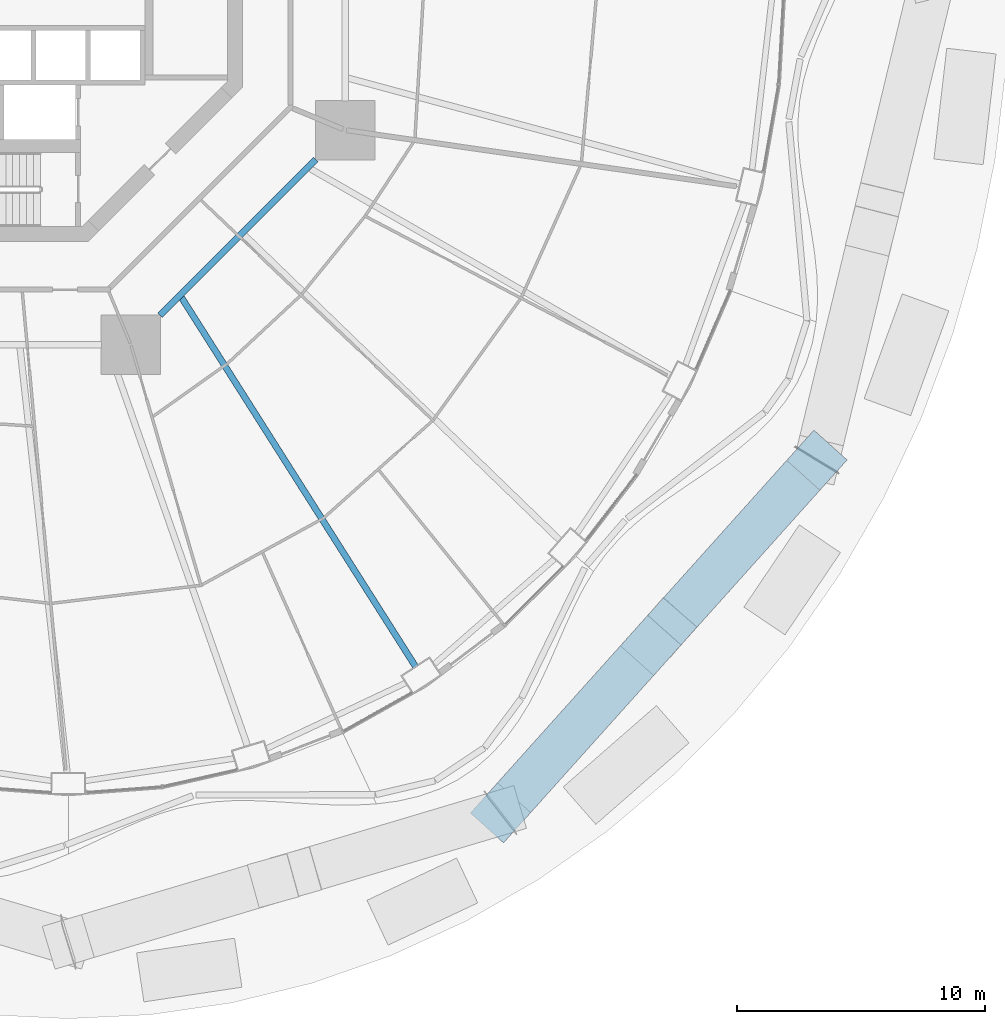
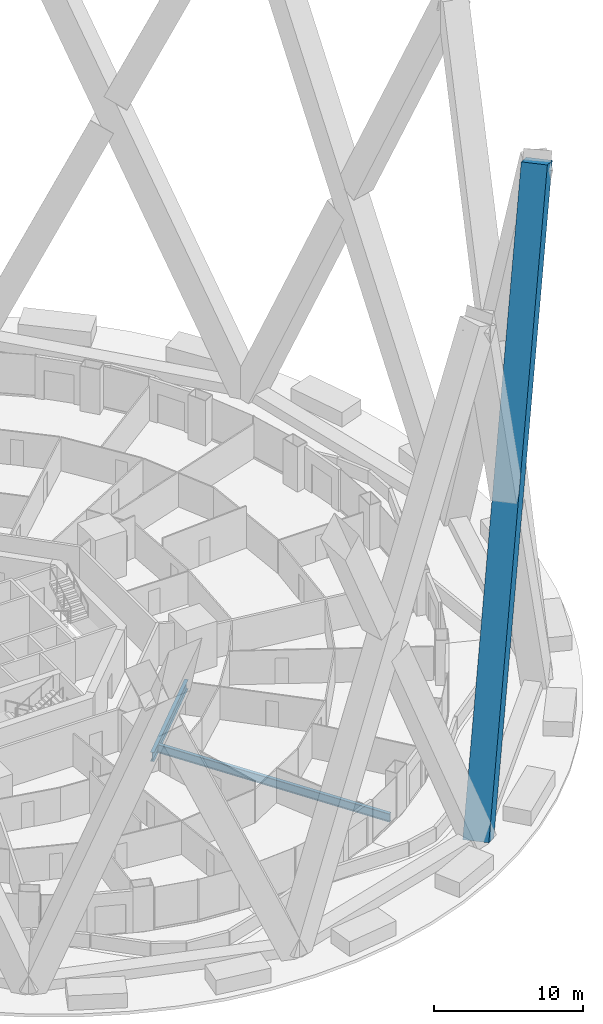
# One storey, part 13 of 42: 2 beams, 1 member.
"""IFC4 building model written with IfcOpenShell, lengths in metres."""

from ifc_helpers import new_model, si_unit, direction, frame, origin, origin_2d, place, context, subcontext, project, spatial, rectangle, i_section, extrude, material, material_profile, profile_set, type_object, element, save


model = new_model("IFC4")

# Units and contexts
model_context = context("Model", 3, precision=1e-05, world=origin(), true_north=direction((0.0, 1.0)))
body_context = subcontext(model_context, "Body", "Model", "MODEL_VIEW")
ifc_project = project(units=[si_unit("LENGTHUNIT", "METRE"), si_unit("AREAUNIT", "SQUARE_METRE"), si_unit("VOLUMEUNIT", "CUBIC_METRE"), si_unit("PLANEANGLEUNIT", "RADIAN"), si_unit("MASSUNIT", "GRAM", prefix="KILO")], contexts=[model_context])

# Site, building, storey
site_placement = place(None, origin())
site = spatial("IfcSite", under=ifc_project, at=site_placement, CompositionType="ELEMENT")
building_placement = place(site_placement, origin())
building = spatial("IfcBuilding", under=site, at=building_placement, Name="Nagisa Residences", CompositionType="ELEMENT")
storey_placement = place(building_placement, frame((0.0, 0.0, 27.0)))
storey = spatial("IfcBuildingStorey", under=building, at=storey_placement, Name="L05", CompositionType="ELEMENT", Elevation=27.0)

# Member
ifc_material_1 = material(Name="Concrete C80", Category="concrete")
ifc_material_profile_1 = material_profile(ifc_material_1, rectangle(XDim=1.800048828125, YDim=1.800048828125, at=origin_2d()), Name="C80 1800x1800")
ifc_profile_set_1 = profile_set([ifc_material_profile_1], Name="Concrete C80")
member_type = type_object("IfcMemberType", Name="Cage diagonal 1 C80 1800x1800", PredefinedType="BRACE", material=ifc_profile_set_1)
member_placement = place(storey_placement, frame((21.050048828125, -33.6884765625, 0.0), z_axis=(0.273549790011, 0.304907923919, 0.912250881236), x_axis=(-0.744346060554, 0.66779408663, 0.0)))
element("IfcMember", 1, at=member_placement, inside=storey, type_object=member_type, Name="mem:L05:cg1d121", PredefinedType="BRACE", context=body_context, shape_type="SweptSolid", body=[
    extrude(rectangle(XDim=1.800048828125, YDim=1.800048828125, at=origin_2d()), origin(), (0.0, 0.0, 1.0), 46.69775390625),
])

# Beams
ifc_material_2 = material(Name="Steel ASTM A572 Gr 50", Category="steel")
ifc_material_profile_2 = material_profile(ifc_material_2, i_section(OverallWidth=0.264892578125, OverallDepth=0.7529296875, WebThickness=0.01318359375, FlangeThickness=0.01708984375, at=origin_2d()), Name="W760x147")
ifc_profile_set_2 = profile_set([ifc_material_profile_2], Name="Steel ASTM A572 Gr 50")
beam_type_1 = type_object("IfcBeamType", Name="Inner ring beam W760x147", PredefinedType="BEAM", material=ifc_profile_set_2)
beam_1_placement = place(storey_placement, frame((7.308837890625, -13.59619140625, -0.636474609375), z_axis=(0.707106781187, 0.707106781187, 0.0), x_axis=(-0.707106781187, 0.707106781187, 0.0)))
element("IfcBeam", 2, at=beam_1_placement, inside=storey, type_object=beam_type_1, Name="beam:L05:ib7", PredefinedType="BEAM", context=body_context, shape_type="SweptSolid", body=[
    extrude(i_section(OverallWidth=0.264892578125, OverallDepth=0.7529296875, WebThickness=0.01318359375, FlangeThickness=0.01708984375, at=origin_2d()), origin(), (0.0, 0.0, 1.0), 8.8916015625),
])
ifc_material_3 = material(Name="Steel ASTM A572 Gr 50", Category="steel")
ifc_material_profile_3 = material_profile(ifc_material_3, i_section(OverallWidth=0.25390625, OverallDepth=0.68408203125, WebThickness=0.012451171875, FlangeThickness=0.018798828125, at=origin_2d()), Name="W690x140")
ifc_profile_set_3 = profile_set([ifc_material_profile_3], Name="Steel ASTM A572 Gr 50")
beam_type_2 = type_object("IfcBeamType", Name="Radial beam W690x140", PredefinedType="BEAM", material=ifc_profile_set_3)
beam_2_placement = place(storey_placement, frame((17.61962890625, -27.78271484375, -0.60205078125), z_axis=(-0.53556610664, 0.844493306911, 0.0), x_axis=(-0.844493306911, -0.53556610664, 0.0)))
element("IfcBeam", 3, at=beam_2_placement, inside=storey, type_object=beam_type_2, Name="beam:L05:rb21", PredefinedType="BEAM", context=body_context, shape_type="SweptSolid", body=[
    extrude(i_section(OverallWidth=0.25390625, OverallDepth=0.68408203125, WebThickness=0.012451171875, FlangeThickness=0.018798828125, at=origin_2d()), origin(), (0.0, 0.0, 1.0), 17.63525390625),
])

save(model, "model.ifc")
